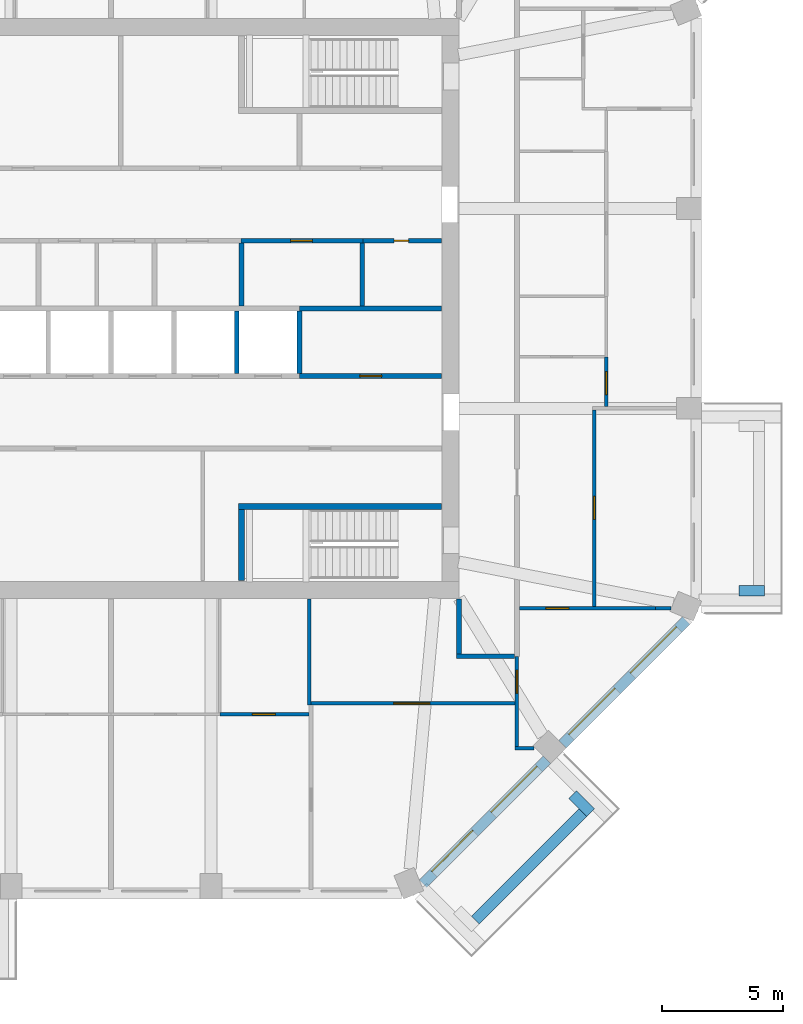
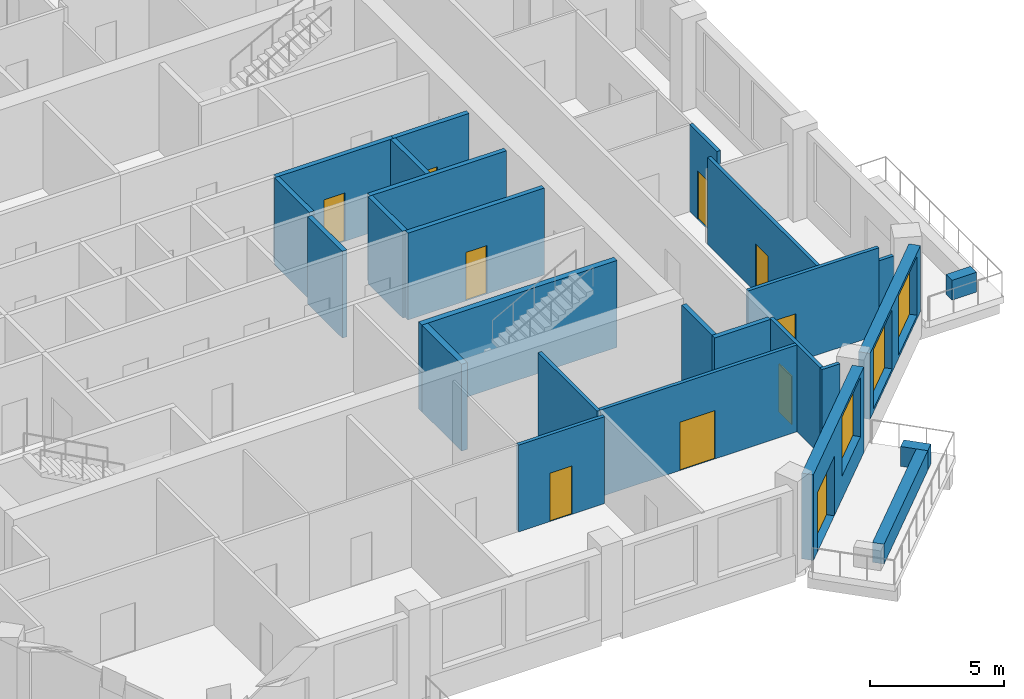
# One storey, part 5 of 10: 26 walls, 10 doors, 3 windows, 13 openings.
"""IFC4 building model written with IfcOpenShell, lengths in metres."""

from ifc_helpers import new_model, si_unit, direction, frame, frame_2d, origin, place, context, subcontext, project, spatial, rectangle, extrude, material, layer, layer_set, type_object, element, fill, save


model = new_model("IFC4")

# Units and contexts
model_context = context("Model", 3, precision=1e-05, world=origin(), true_north=direction((0.0, 1.0)))
body_context = subcontext(model_context, "Body", "Model", "MODEL_VIEW")
ifc_project = project(units=[si_unit("LENGTHUNIT", "METRE"), si_unit("AREAUNIT", "SQUARE_METRE"), si_unit("VOLUMEUNIT", "CUBIC_METRE"), si_unit("PLANEANGLEUNIT", "RADIAN"), si_unit("MASSUNIT", "GRAM", prefix="KILO")], contexts=[model_context])

# Site, building, storey
site_placement = place(None, origin())
site = spatial("IfcSite", under=ifc_project, at=site_placement, CompositionType="ELEMENT")
building_placement = place(site_placement, origin())
building = spatial("IfcBuilding", under=site, at=building_placement, Name="Msitu Wima Residences", CompositionType="ELEMENT")
storey_placement = place(building_placement, frame((0.0, 0.0, 195.89990234375)))
storey = spatial("IfcBuildingStorey", under=building, at=storey_placement, Name="L45", CompositionType="ELEMENT", Elevation=195.89990234375)

# Walls
ifc_material_1 = material(Name="Facing brick")
ifc_layer_1 = layer(ifc_material_1, 0.06494140625, Name="Facing brick")
ifc_material_2 = material(Name="Concrete C40/50", Category="concrete")
ifc_layer_2 = layer(ifc_material_2, 0.156005859375, Name="Concrete C40/50")
ifc_material_3 = material(Name="Waterproofing membrane")
ifc_layer_3 = layer(ifc_material_3, 0.00390625, Name="Waterproofing membrane")
ifc_material_4 = material(Name="Planting soil and planting")
ifc_layer_4 = layer(ifc_material_4, 0.22509765625, Name="Planting soil and planting")
ifc_layer_set_1 = layer_set([ifc_layer_1, ifc_layer_2, ifc_layer_3, ifc_layer_4], Name="Concrete C40/50")
wall_type_1 = type_object("IfcWallType", Name="Balcony planter PLANTER PL450", PredefinedType="USERDEFINED", material=ifc_layer_set_1)
wall_1_placement = place(storey_placement, frame((26.0, -11.686767578125, 0.0), z_axis=(0.0, 0.0, 1.0), x_axis=(1.0, 0.0, 0.0)))
element("IfcWall", 1, at=wall_1_placement, inside=storey, type_object=wall_type_1, Name="Balcony planter E0 L45", ObjectType="PLANTER", PredefinedType="USERDEFINED", context=body_context, shape_type="SweptSolid", body=[
    extrude(rectangle(XDim=1.050048828125, YDim=0.449951171875, at=frame_2d((0.52490234375, 0.0))), origin(), (0.0, 0.0, 1.0), 0.900146484375),
])
wall_2_placement = place(storey_placement, frame((15.0810546875, -25.325927734375, 0.0), z_axis=(0.0, 0.0, 1.0), x_axis=(0.707106781187, 0.707106781187, 0.0)))
element("IfcWall", 2, at=wall_2_placement, inside=storey, type_object=wall_type_1, Name="Balcony planter SE0 L45", ObjectType="PLANTER", PredefinedType="USERDEFINED", context=body_context, shape_type="SweptSolid", body=[
    extrude(rectangle(XDim=6.294189453125, YDim=0.449951171875, at=frame_2d((3.14697265625, 0.0))), origin(), (0.0, 0.0, 1.0), 0.900146484375),
])
wall_3_placement = place(storey_placement, frame((19.107421875, -20.1328125, 0.0), z_axis=(0.0, 0.0, 1.0), x_axis=(0.707106781187, -0.707106781187, 0.0)))
element("IfcWall", 3, at=wall_3_placement, inside=storey, type_object=wall_type_1, Name="Balcony planter SE0 L45", ObjectType="PLANTER", PredefinedType="USERDEFINED", context=body_context, shape_type="SweptSolid", body=[
    extrude(rectangle(XDim=1.050048828125, YDim=0.449951171875, at=frame_2d((0.52490234375, 0.0))), origin(), (0.0, 0.0, 1.0), 0.900146484375),
])

# Wall, openings, door, window
ifc_material_5 = material(Name="Brick (red buff mix)", Category="masonry")
ifc_layer_5 = layer(ifc_material_5, 0.449951171875)
ifc_layer_set_2 = layer_set([ifc_layer_5], Name="Brick (red buff mix)")
wall_type_2 = type_object("IfcWallType", Name="Brick infill wall BW450", PredefinedType="SOLIDWALL", material=ifc_layer_set_2)
wall_4_placement = place(storey_placement, frame((12.915283203125, -23.814697265625, 0.0), z_axis=(0.0, 0.0, 1.0), x_axis=(0.707106781187, 0.707106781187, 0.0)))
wall_4 = element("IfcWall", 4, at=wall_4_placement, inside=storey, type_object=wall_type_2, Name="Brick infill wall L45 SE0", PredefinedType="SOLIDWALL", context=body_context, shape_type="SweptSolid", body=[
    extrude(rectangle(XDim=7.257080078125, YDim=0.449951171875, at=frame_2d((3.62841796875, 0.0))), origin(), (0.0, 0.0, 1.0), 3.900146484375),
])
opening_1_placement = place(wall_4_placement, frame((0.6142578125, 0.0, 0.0)))
opening_1 = element("IfcOpeningElement", 5, at=opening_1_placement, cuts=wall_4, Name="Opening D43-45.006", PredefinedType="OPENING", context=body_context, shape_type="SweptSolid", body=[
    extrude(rectangle(XDim=2.39990234375, YDim=2.699951171875, at=frame_2d((1.199951171875, 1.35009765625))), frame((0.0, 0.23486328125, 0.0), z_axis=(0.0, -1.0, 0.0), x_axis=(1.0, 0.0, 0.0)), (0.0, 0.0, 1.0), 0.469970703125),
])
opening_2_placement = place(wall_4_placement, frame((4.07861328125, 0.0, 1.050048828125)))
opening_2 = element("IfcOpeningElement", 6, at=opening_2_placement, cuts=wall_4, Name="Opening W43-45.022", PredefinedType="OPENING", context=body_context, shape_type="SweptSolid", body=[
    extrude(rectangle(XDim=2.699951171875, YDim=2.699951171875, at=frame_2d((1.35009765625, 1.35009765625))), frame((0.0, 0.23486328125, 0.0), z_axis=(0.0, -1.0, 0.0), x_axis=(1.0, 0.0, 0.0)), (0.0, 0.0, 1.0), 0.469970703125),
])
ifc_material_6 = material(Name="Anodised aluminium, bronze finish, clear low-emissivity double glazing", Category="aluminium")
door_type_1 = type_object("IfcDoorType", Name="Balcony door D2400x2700", OperationType="SLIDING_TO_LEFT", PredefinedType="DOOR", material=ifc_material_6)
door_1_placement = place(opening_1_placement, origin())
door_1 = element("IfcDoor", 7, at=door_1_placement, inside=storey, type_object=door_type_1, Name="Balcony door L45 SE0", OperationType="SINGLE_SWING_LEFT", OverallHeight=2.699951171875, OverallWidth=2.39990234375, PredefinedType="DOOR", context=body_context, shape_type="SweptSolid", body=[
    extrude(rectangle(XDim=2.39990234375, YDim=2.699951171875, at=frame_2d((1.199951171875, 1.35009765625))), frame((0.0, 0.1298828125, 0.0), z_axis=(0.0, -1.0, 0.0), x_axis=(1.0, 0.0, 0.0)), (0.0, 0.0, 1.0), 0.050048828125),
])
fill(opening_1, door_1)
window_type = type_object("IfcWindowType", Name="Window W2700x2700", PartitioningType="DOUBLE_PANEL_VERTICAL", PredefinedType="WINDOW", material=ifc_material_6)
window_1_placement = place(opening_2_placement, origin())
window_1 = element("IfcWindow", 8, at=window_1_placement, inside=storey, type_object=window_type, Name="Window L45 SE0.2", OverallHeight=2.699951171875, OverallWidth=2.699951171875, PartitioningType="SINGLE_PANEL", PredefinedType="WINDOW", context=body_context, shape_type="SweptSolid", body=[
    extrude(rectangle(XDim=2.699951171875, YDim=2.699951171875, at=frame_2d((1.35009765625, 1.35009765625))), frame((0.0, 0.135009765625, 0.0), z_axis=(0.0, -1.0, 0.0), x_axis=(1.0, 0.0, 0.0)), (0.0, 0.0, 1.0), 0.06005859375),
])
fill(opening_2, window_1)

# Wall, openings, windows
wall_5_placement = place(storey_placement, frame((18.68310546875, -18.046875, 0.900146484375), z_axis=(0.0, 0.0, 1.0), x_axis=(0.707106781187, 0.707106781187, 0.0)))
wall_5 = element("IfcWall", 9, at=wall_5_placement, inside=storey, type_object=wall_type_2, Name="Brick infill wall L45 SE1", PredefinedType="SOLIDWALL", context=body_context, shape_type="SweptSolid", body=[
    extrude(rectangle(XDim=7.257080078125, YDim=0.449951171875, at=frame_2d((3.62841796875, 0.0))), origin(), (0.0, 0.0, 1.0), 3.0),
])
opening_3_placement = place(wall_5_placement, frame((0.478515625, 0.0, 0.14990234375)))
opening_3 = element("IfcOpeningElement", 10, at=opening_3_placement, cuts=wall_5, Name="Opening W43-45.023", PredefinedType="OPENING", context=body_context, shape_type="SweptSolid", body=[
    extrude(rectangle(XDim=2.699951171875, YDim=2.699951171875, at=frame_2d((1.35009765625, 1.35009765625))), frame((0.0, 0.23486328125, 0.0), z_axis=(0.0, -1.0, 0.0), x_axis=(1.0, 0.0, 0.0)), (0.0, 0.0, 1.0), 0.469970703125),
])
opening_4_placement = place(wall_5_placement, frame((4.07861328125, 0.0, 0.14990234375)))
opening_4 = element("IfcOpeningElement", 11, at=opening_4_placement, cuts=wall_5, Name="Opening W43-45.024", PredefinedType="OPENING", context=body_context, shape_type="SweptSolid", body=[
    extrude(rectangle(XDim=2.699951171875, YDim=2.699951171875, at=frame_2d((1.35009765625, 1.35009765625))), frame((0.0, 0.23486328125, 0.0), z_axis=(0.0, -1.0, 0.0), x_axis=(1.0, 0.0, 0.0)), (0.0, 0.0, 1.0), 0.469970703125),
])
window_2_placement = place(opening_3_placement, origin())
window_2 = element("IfcWindow", 12, at=window_2_placement, inside=storey, type_object=window_type, Name="Window L45 SE1.1", OverallHeight=2.699951171875, OverallWidth=2.699951171875, PartitioningType="SINGLE_PANEL", PredefinedType="WINDOW", context=body_context, shape_type="SweptSolid", body=[
    extrude(rectangle(XDim=2.699951171875, YDim=2.699951171875, at=frame_2d((1.35009765625, 1.35009765625))), frame((0.0, 0.135009765625, 0.0), z_axis=(0.0, -1.0, 0.0), x_axis=(1.0, 0.0, 0.0)), (0.0, 0.0, 1.0), 0.06005859375),
])
fill(opening_3, window_2)
window_3_placement = place(opening_4_placement, origin())
window_3 = element("IfcWindow", 13, at=window_3_placement, inside=storey, type_object=window_type, Name="Window L45 SE1.2", OverallHeight=2.699951171875, OverallWidth=2.699951171875, PartitioningType="SINGLE_PANEL", PredefinedType="WINDOW", context=body_context, shape_type="SweptSolid", body=[
    extrude(rectangle(XDim=2.699951171875, YDim=2.699951171875, at=frame_2d((1.35009765625, 1.35009765625))), frame((0.0, 0.135009765625, 0.0), z_axis=(0.0, -1.0, 0.0), x_axis=(1.0, 0.0, 0.0)), (0.0, 0.0, 1.0), 0.06005859375),
])
fill(opening_4, window_3)

# Wall, opening, door
ifc_material_7 = material(Name="Plaster")
ifc_layer_6 = layer(ifc_material_7, 0.011962890625, Name="Plaster")
ifc_material_8 = material(Name="Concrete blockwork", Category="masonry")
ifc_layer_7 = layer(ifc_material_8, 0.176025390625, Name="Concrete blockwork")
ifc_layer_8 = layer(ifc_material_7, 0.011962890625, Name="Plaster")
ifc_layer_set_3 = layer_set([ifc_layer_6, ifc_layer_7, ifc_layer_8], Name="Concrete blockwork")
wall_type_3 = type_object("IfcWallType", Name="Corridor wall FW200", PredefinedType="PARTITIONING", material=ifc_layer_set_3)
wall_6_placement = place(storey_placement, frame((5.3798828125, 2.800048828125, 0.0), z_axis=(0.0, 0.0, 1.0), x_axis=(1.0, 0.0, 0.0)))
wall_6 = element("IfcWall", 14, at=wall_6_placement, inside=storey, type_object=wall_type_3, Name="Corridor wall", PredefinedType="PARTITIONING", context=body_context, shape_type="SweptSolid", body=[
    extrude(rectangle(XDim=5.0400390625, YDim=0.199951171875, at=frame_2d((2.52001953125, 0.0))), origin(), (0.0, 0.0, 1.0), 3.9501953125),
])
opening_5_placement = place(wall_6_placement, frame((2.050048828125, 0.0, 0.0)))
opening_5 = element("IfcOpeningElement", 15, at=opening_5_placement, cuts=wall_6, Name="Opening D43-45.066", PredefinedType="OPENING", context=body_context, shape_type="SweptSolid", body=[
    extrude(rectangle(XDim=0.89990234375, YDim=2.199951171875, at=frame_2d((0.449951171875, 1.10009765625))), frame((0.0, 0.10986328125, 0.0), z_axis=(0.0, -1.0, 0.0), x_axis=(1.0, 0.0, 0.0)), (0.0, 0.0, 1.0), 0.219970703125),
])
ifc_material_9 = material(Name="Timber flush door", Category="wood")
door_type_2 = type_object("IfcDoorType", Name="Service door D05 900x2200", OperationType="SINGLE_SWING_LEFT", PredefinedType="DOOR", material=ifc_material_9)
door_2_placement = place(opening_5_placement, origin())
door_2 = element("IfcDoor", 16, at=door_2_placement, inside=storey, type_object=door_type_2, Name="Service door", OperationType="SINGLE_SWING_RIGHT", OverallHeight=2.199951171875, OverallWidth=0.89990234375, PredefinedType="DOOR", context=body_context, shape_type="SweptSolid", body=[
    extrude(rectangle(XDim=0.89990234375, YDim=2.199951171875, at=frame_2d((0.449951171875, 1.10009765625))), frame((0.0, 0.02490234375, 0.0), z_axis=(0.0, -1.0, 0.0), x_axis=(1.0, 0.0, 0.0)), (0.0, 0.0, 1.0), 0.050048828125),
])
fill(opening_5, door_2)

# Walls
wall_7_placement = place(storey_placement, frame((14.39990234375, -14.300048828125, 0.0), z_axis=(0.0, 0.0, 1.0), x_axis=(0.0, 1.0, 0.0)))
element("IfcWall", 17, at=wall_7_placement, inside=storey, type_object=wall_type_3, Name="Corridor wall", PredefinedType="PARTITIONING", context=body_context, shape_type="SweptSolid", body=[
    extrude(rectangle(XDim=2.27001953125, YDim=0.199951171875, at=frame_2d((1.135009765625, 0.0))), origin(), (0.0, 0.0, 1.0), 3.9501953125),
])
wall_8_placement = place(storey_placement, frame((14.300048828125, -14.39990234375, 0.0), z_axis=(0.0, 0.0, 1.0), x_axis=(1.0, 0.0, 0.0)))
element("IfcWall", 18, at=wall_8_placement, inside=storey, type_object=wall_type_3, Name="Corridor wall", PredefinedType="PARTITIONING", context=body_context, shape_type="SweptSolid", body=[
    extrude(rectangle(XDim=2.39990234375, YDim=0.199951171875, at=frame_2d((1.199951171875, 0.0))), origin(), (0.0, 0.0, 1.0), 3.9501953125),
])

# Wall, opening, door
ifc_layer_9 = layer(ifc_material_7, 0.011962890625, Name="Plaster")
ifc_layer_10 = layer(ifc_material_8, 0.1259765625, Name="Concrete blockwork")
ifc_layer_11 = layer(ifc_material_7, 0.011962890625, Name="Plaster")
ifc_layer_set_4 = layer_set([ifc_layer_9, ifc_layer_10, ifc_layer_11], Name="Concrete blockwork")
wall_type_4 = type_object("IfcWallType", Name="Partition PW150", PredefinedType="PARTITIONING", material=ifc_layer_set_4)
wall_9_placement = place(storey_placement, frame((4.5, -16.800048828125, 0.0), z_axis=(0.0, 0.0, 1.0), x_axis=(1.0, 0.0, 0.0)))
wall_9 = element("IfcWall", 19, at=wall_9_placement, inside=storey, type_object=wall_type_4, Name="Partition", PredefinedType="PARTITIONING", context=body_context, shape_type="SweptSolid", body=[
    extrude(rectangle(XDim=3.699462890625, YDim=0.14990234375, at=frame_2d((1.849609375, 0.0))), origin(), (0.0, 0.0, 1.0), 3.9501953125),
])
opening_6_placement = place(wall_9_placement, frame((1.35009765625, 0.0, 0.0)))
opening_6 = element("IfcOpeningElement", 20, at=opening_6_placement, cuts=wall_9, Name="Opening D43-45.017", PredefinedType="OPENING", context=body_context, shape_type="SweptSolid", body=[
    extrude(rectangle(XDim=0.949951171875, YDim=2.199951171875, at=frame_2d((0.47509765625, 1.10009765625))), frame((0.0, 0.0849609375, 0.0), z_axis=(0.0, -1.0, 0.0), x_axis=(1.0, 0.0, 0.0)), (0.0, 0.0, 1.0), 0.169921875),
])
door_type_3 = type_object("IfcDoorType", Name="Room door D12 950x2200", OperationType="SINGLE_SWING_LEFT", PredefinedType="DOOR", material=ifc_material_9)
door_3_placement = place(opening_6_placement, origin())
door_3 = element("IfcDoor", 21, at=door_3_placement, inside=storey, type_object=door_type_3, Name="Room door", OperationType="SINGLE_SWING_LEFT", OverallHeight=2.199951171875, OverallWidth=0.949951171875, PredefinedType="DOOR", context=body_context, shape_type="SweptSolid", body=[
    extrude(rectangle(XDim=0.949951171875, YDim=2.199951171875, at=frame_2d((0.47509765625, 1.10009765625))), frame((0.0, 0.02490234375, 0.0), z_axis=(0.0, -1.0, 0.0), x_axis=(1.0, 0.0, 0.0)), (0.0, 0.0, 1.0), 0.050048828125),
])
fill(opening_6, door_3)

# Wall
wall_10_placement = place(storey_placement, frame((8.199951171875, -16.425048828125, 0.0), z_axis=(0.0, 0.0, 1.0), x_axis=(0.0, 1.0, 0.0)))
element("IfcWall", 22, at=wall_10_placement, inside=storey, type_object=wall_type_4, Name="Partition", PredefinedType="PARTITIONING", context=body_context, shape_type="SweptSolid", body=[
    extrude(rectangle(XDim=4.39501953125, YDim=0.14990234375, at=frame_2d((2.197509765625, 0.0))), origin(), (0.0, 0.0, 1.0), 3.9501953125),
])

# Wall, opening, door
wall_11_placement = place(storey_placement, frame((8.199462890625, -16.35009765625, 0.0), z_axis=(0.0, 0.0, 1.0), x_axis=(1.0, 0.0, 0.0)))
wall_11 = element("IfcWall", 23, at=wall_11_placement, inside=storey, type_object=wall_type_4, Name="Partition", PredefinedType="PARTITIONING", context=body_context, shape_type="SweptSolid", body=[
    extrude(rectangle(XDim=8.525634765625, YDim=0.14990234375, at=frame_2d((4.2626953125, 0.0))), origin(), (0.0, 0.0, 1.0), 3.9501953125),
])
opening_7_placement = place(wall_11_placement, frame((3.5, 0.0, 0.0)))
opening_7 = element("IfcOpeningElement", 24, at=opening_7_placement, cuts=wall_11, Name="Opening D43-45.027", PredefinedType="OPENING", context=body_context, shape_type="SweptSolid", body=[
    extrude(rectangle(XDim=1.5, YDim=2.199951171875, at=frame_2d((0.75, 1.10009765625))), frame((0.0, 0.0849609375, 0.0), z_axis=(0.0, -1.0, 0.0), x_axis=(1.0, 0.0, 0.0)), (0.0, 0.0, 1.0), 0.169921875),
])
ifc_material_10 = material(Name="Timber double door", Category="wood")
door_type_4 = type_object("IfcDoorType", Name="Double door D04 1500x2200", OperationType="DOUBLE_DOOR_SINGLE_SWING", PredefinedType="DOOR", material=ifc_material_10)
door_4_placement = place(opening_7_placement, origin())
door_4 = element("IfcDoor", 25, at=door_4_placement, inside=storey, type_object=door_type_4, Name="Double door", OperationType="DOUBLE_DOOR_SINGLE_SWING", OverallHeight=2.199951171875, OverallWidth=1.5, PredefinedType="DOOR", context=body_context, shape_type="SweptSolid", body=[
    extrude(rectangle(XDim=1.5, YDim=2.199951171875, at=frame_2d((0.75, 1.10009765625))), frame((0.0, 0.02490234375, 0.0), z_axis=(0.0, -1.0, 0.0), x_axis=(1.0, 0.0, 0.0)), (0.0, 0.0, 1.0), 0.050048828125),
])
fill(opening_7, door_4)

wall_12_placement = place(storey_placement, frame((16.800048828125, -18.130859375, 0.0), z_axis=(0.0, 0.0, 1.0), x_axis=(0.0, 1.0, 0.0)))
wall_12 = element("IfcWall", 26, at=wall_12_placement, inside=storey, type_object=wall_type_4, Name="Partition", PredefinedType="PARTITIONING", context=body_context, shape_type="SweptSolid", body=[
    extrude(rectangle(XDim=3.73095703125, YDim=0.14990234375, at=frame_2d((1.865478515625, 0.0))), origin(), (0.0, 0.0, 1.0), 3.9501953125),
])
opening_8_placement = place(wall_12_placement, frame((2.199951171875, 0.0, 0.0)))
opening_8 = element("IfcOpeningElement", 27, at=opening_8_placement, cuts=wall_12, Name="Opening D43-45.026", PredefinedType="OPENING", context=body_context, shape_type="SweptSolid", body=[
    extrude(rectangle(XDim=0.949951171875, YDim=2.199951171875, at=frame_2d((0.47509765625, 1.10009765625))), frame((0.0, 0.0849609375, 0.0), z_axis=(0.0, -1.0, 0.0), x_axis=(1.0, 0.0, 0.0)), (0.0, 0.0, 1.0), 0.169921875),
])
door_5_placement = place(opening_8_placement, origin())
door_5 = element("IfcDoor", 28, at=door_5_placement, inside=storey, type_object=door_type_3, Name="Room door", OperationType="SINGLE_SWING_LEFT", OverallHeight=2.199951171875, OverallWidth=0.949951171875, PredefinedType="DOOR", context=body_context, shape_type="SweptSolid", body=[
    extrude(rectangle(XDim=0.949951171875, YDim=2.199951171875, at=frame_2d((0.47509765625, 1.10009765625))), frame((0.0, 0.02490234375, 0.0), z_axis=(0.0, -1.0, 0.0), x_axis=(1.0, 0.0, 0.0)), (0.0, 0.0, 1.0), 0.050048828125),
])
fill(opening_8, door_5)

# Wall
wall_13_placement = place(storey_placement, frame((16.72509765625, -18.205810546875, 0.0), z_axis=(0.0, 0.0, 1.0), x_axis=(1.0, 0.0, 0.0)))
element("IfcWall", 29, at=wall_13_placement, inside=storey, type_object=wall_type_4, Name="Partition", PredefinedType="PARTITIONING", context=body_context, shape_type="SweptSolid", body=[
    extrude(rectangle(XDim=0.784423828125, YDim=0.14990234375, at=frame_2d((0.39208984375, 0.0))), origin(), (0.0, 0.0, 1.0), 3.9501953125),
])

# Wall, opening, door
wall_14_placement = place(storey_placement, frame((16.89990234375, -12.409912109375, 0.0), z_axis=(0.0, 0.0, 1.0), x_axis=(1.0, 0.0, 0.0)))
wall_14 = element("IfcWall", 30, at=wall_14_placement, inside=storey, type_object=wall_type_4, Name="Partition", PredefinedType="PARTITIONING", context=body_context, shape_type="SweptSolid", body=[
    extrude(rectangle(XDim=5.62939453125, YDim=0.14990234375, at=frame_2d((2.814697265625, 0.0))), origin(), (0.0, 0.0, 1.0), 3.9501953125),
])
opening_9_placement = place(wall_14_placement, frame((1.10009765625, 0.0, 0.0)))
opening_9 = element("IfcOpeningElement", 31, at=opening_9_placement, cuts=wall_14, Name="Opening D43-45.009", PredefinedType="OPENING", context=body_context, shape_type="SweptSolid", body=[
    extrude(rectangle(XDim=0.949951171875, YDim=2.199951171875, at=frame_2d((0.47509765625, 1.10009765625))), frame((0.0, 0.0849609375, 0.0), z_axis=(0.0, -1.0, 0.0), x_axis=(1.0, 0.0, 0.0)), (0.0, 0.0, 1.0), 0.169921875),
])
door_6_placement = place(opening_9_placement, origin())
door_6 = element("IfcDoor", 32, at=door_6_placement, inside=storey, type_object=door_type_3, Name="Room door", OperationType="SINGLE_SWING_RIGHT", OverallHeight=2.199951171875, OverallWidth=0.949951171875, PredefinedType="DOOR", context=body_context, shape_type="SweptSolid", body=[
    extrude(rectangle(XDim=0.949951171875, YDim=2.199951171875, at=frame_2d((0.47509765625, 1.10009765625))), frame((0.0, 0.02490234375, 0.0), z_axis=(0.0, -1.0, 0.0), x_axis=(1.0, 0.0, 0.0)), (0.0, 0.0, 1.0), 0.050048828125),
])
fill(opening_9, door_6)

# Wall
wall_15_placement = place(storey_placement, frame((22.529296875, -12.409912109375, 0.0), z_axis=(0.0, 0.0, 1.0), x_axis=(1.0, 0.0, 0.0)))
element("IfcWall", 33, at=wall_15_placement, inside=storey, type_object=wall_type_4, Name="Partition", PredefinedType="PARTITIONING", context=body_context, shape_type="SweptSolid", body=[
    extrude(rectangle(XDim=0.640380859375, YDim=0.14990234375, at=frame_2d((0.3203125, 0.0))), origin(), (0.0, 0.0, 1.0), 3.35009765625),
])

# Wall, opening, door
wall_16_placement = place(storey_placement, frame((20.0, -12.3349609375, 0.0), z_axis=(0.0, 0.0, 1.0), x_axis=(0.0, 1.0, 0.0)))
wall_16 = element("IfcWall", 34, at=wall_16_placement, inside=storey, type_object=wall_type_4, Name="Partition", PredefinedType="PARTITIONING", context=body_context, shape_type="SweptSolid", body=[
    extrude(rectangle(XDim=8.119873046875, YDim=0.14990234375, at=frame_2d((4.06005859375, 0.0))), origin(), (0.0, 0.0, 1.0), 3.9501953125),
])
opening_10_placement = place(wall_16_placement, frame((3.60009765625, 0.0, 0.0)))
opening_10 = element("IfcOpeningElement", 35, at=opening_10_placement, cuts=wall_16, Name="Opening D43-45.022", PredefinedType="OPENING", context=body_context, shape_type="SweptSolid", body=[
    extrude(rectangle(XDim=0.949951171875, YDim=2.199951171875, at=frame_2d((0.47509765625, 1.10009765625))), frame((0.0, 0.0849609375, 0.0), z_axis=(0.0, -1.0, 0.0), x_axis=(1.0, 0.0, 0.0)), (0.0, 0.0, 1.0), 0.169921875),
])
door_7_placement = place(opening_10_placement, origin())
door_7 = element("IfcDoor", 36, at=door_7_placement, inside=storey, type_object=door_type_3, Name="Room door", OperationType="SINGLE_SWING_LEFT", OverallHeight=2.199951171875, OverallWidth=0.949951171875, PredefinedType="DOOR", context=body_context, shape_type="SweptSolid", body=[
    extrude(rectangle(XDim=0.949951171875, YDim=2.199951171875, at=frame_2d((0.47509765625, 1.10009765625))), frame((0.0, 0.02490234375, 0.0), z_axis=(0.0, -1.0, 0.0), x_axis=(1.0, 0.0, 0.0)), (0.0, 0.0, 1.0), 0.050048828125),
])
fill(opening_10, door_7)

wall_17_placement = place(storey_placement, frame((20.5, -4.06494140625, 0.0), z_axis=(0.0, 0.0, 1.0), x_axis=(0.0, 1.0, 0.0)))
wall_17 = element("IfcWall", 37, at=wall_17_placement, inside=storey, type_object=wall_type_4, Name="Partition", PredefinedType="PARTITIONING", context=body_context, shape_type="SweptSolid", body=[
    extrude(rectangle(XDim=2.044921875, YDim=0.14990234375, at=frame_2d((1.0224609375, 0.0))), origin(), (0.0, 0.0, 1.0), 3.9501953125),
])
opening_11_placement = place(wall_17_placement, frame((0.5, 0.0, 0.0)))
opening_11 = element("IfcOpeningElement", 38, at=opening_11_placement, cuts=wall_17, Name="Opening D43-45.023", PredefinedType="OPENING", context=body_context, shape_type="SweptSolid", body=[
    extrude(rectangle(XDim=0.949951171875, YDim=2.199951171875, at=frame_2d((0.47509765625, 1.10009765625))), frame((0.0, 0.0849609375, 0.0), z_axis=(0.0, -1.0, 0.0), x_axis=(1.0, 0.0, 0.0)), (0.0, 0.0, 1.0), 0.169921875),
])
door_8_placement = place(opening_11_placement, origin())
door_8 = element("IfcDoor", 39, at=door_8_placement, inside=storey, type_object=door_type_3, Name="Room door", OperationType="SINGLE_SWING_RIGHT", OverallHeight=2.199951171875, OverallWidth=0.949951171875, PredefinedType="DOOR", context=body_context, shape_type="SweptSolid", body=[
    extrude(rectangle(XDim=0.949951171875, YDim=2.199951171875, at=frame_2d((0.47509765625, 1.10009765625))), frame((0.0, 0.02490234375, 0.0), z_axis=(0.0, -1.0, 0.0), x_axis=(1.0, 0.0, 0.0)), (0.0, 0.0, 1.0), 0.050048828125),
])
fill(opening_11, door_8)

# Wall
ifc_layer_12 = layer(ifc_material_7, 0.011962890625, Name="Plaster")
ifc_material_11 = material(Name="Reinforced concrete blockwork", Category="masonry")
ifc_layer_13 = layer(ifc_material_11, 0.176025390625, Name="Reinforced concrete blockwork")
ifc_layer_14 = layer(ifc_material_7, 0.011962890625, Name="Plaster")
ifc_layer_set_5 = layer_set([ifc_layer_12, ifc_layer_13, ifc_layer_14], Name="Reinforced concrete blockwork")
wall_type_5 = type_object("IfcWallType", Name="Plant and riser wall PL200", PredefinedType="PARTITIONING", material=ifc_layer_set_5)
wall_18_placement = place(storey_placement, frame((5.39990234375, 0.10009765625, 0.0), z_axis=(0.0, 0.0, 1.0), x_axis=(0.0, 1.0, 0.0)))
element("IfcWall", 40, at=wall_18_placement, inside=storey, type_object=wall_type_5, Name="Plant and riser wall", PredefinedType="PARTITIONING", context=body_context, shape_type="SweptSolid", body=[
    extrude(rectangle(XDim=2.599853515625, YDim=0.199951171875, at=frame_2d((1.2998046875, 0.0))), origin(), (0.0, 0.0, 1.0), 3.9501953125),
])

# Wall, opening, door
wall_19_placement = place(storey_placement, frame((7.800048828125, -2.800048828125, 0.0), z_axis=(0.0, 0.0, 1.0), x_axis=(1.0, 0.0, 0.0)))
wall_19 = element("IfcWall", 41, at=wall_19_placement, inside=storey, type_object=wall_type_5, Name="Plant and riser wall", PredefinedType="PARTITIONING", context=body_context, shape_type="SweptSolid", body=[
    extrude(rectangle(XDim=5.869873046875, YDim=0.199951171875, at=frame_2d((2.93505859375, 0.0))), origin(), (0.0, 0.0, 1.0), 3.9501953125),
])
opening_12_placement = place(wall_19_placement, frame((2.5, 0.0, 0.0)))
opening_12 = element("IfcOpeningElement", 42, at=opening_12_placement, cuts=wall_19, Name="Opening D43-45.050", PredefinedType="OPENING", context=body_context, shape_type="SweptSolid", body=[
    extrude(rectangle(XDim=0.89990234375, YDim=2.199951171875, at=frame_2d((0.449951171875, 1.10009765625))), frame((0.0, 0.10986328125, 0.0), z_axis=(0.0, -1.0, 0.0), x_axis=(1.0, 0.0, 0.0)), (0.0, 0.0, 1.0), 0.219970703125),
])
door_9_placement = place(opening_12_placement, origin())
door_9 = element("IfcDoor", 43, at=door_9_placement, inside=storey, type_object=door_type_2, Name="Service door", OperationType="SINGLE_SWING_LEFT", OverallHeight=2.199951171875, OverallWidth=0.89990234375, PredefinedType="DOOR", context=body_context, shape_type="SweptSolid", body=[
    extrude(rectangle(XDim=0.89990234375, YDim=2.199951171875, at=frame_2d((0.449951171875, 1.10009765625))), frame((0.0, 0.02490234375, 0.0), z_axis=(0.0, -1.0, 0.0), x_axis=(1.0, 0.0, 0.0)), (0.0, 0.0, 1.0), 0.050048828125),
])
fill(opening_12, door_9)

# Wall
wall_20_placement = place(storey_placement, frame((7.800048828125, 0.0, 0.0), z_axis=(0.0, 0.0, 1.0), x_axis=(1.0, 0.0, 0.0)))
element("IfcWall", 44, at=wall_20_placement, inside=storey, type_object=wall_type_5, Name="Plant and riser wall", PredefinedType="PARTITIONING", context=body_context, shape_type="SweptSolid", body=[
    extrude(rectangle(XDim=5.869873046875, YDim=0.199951171875, at=frame_2d((2.93505859375, 0.0))), origin(), (0.0, 0.0, 1.0), 3.9501953125),
])

# Wall, opening, door
wall_21_placement = place(storey_placement, frame((10.419921875, 2.800048828125, 0.0), z_axis=(0.0, 0.0, 1.0), x_axis=(1.0, 0.0, 0.0)))
wall_21 = element("IfcWall", 45, at=wall_21_placement, inside=storey, type_object=wall_type_5, Name="Plant and riser wall", PredefinedType="PARTITIONING", context=body_context, shape_type="SweptSolid", body=[
    extrude(rectangle(XDim=3.25, YDim=0.199951171875, at=frame_2d((1.625, 0.0))), origin(), (0.0, 0.0, 1.0), 3.9501953125),
])
opening_13_placement = place(wall_21_placement, frame((1.300048828125, 0.0, 0.0)))
opening_13 = element("IfcOpeningElement", 46, at=opening_13_placement, cuts=wall_21, Name="Opening D43-45.067", PredefinedType="OPENING", context=body_context, shape_type="SweptSolid", body=[
    extrude(rectangle(XDim=0.60009765625, YDim=2.0, at=frame_2d((0.300048828125, 1.0))), frame((0.0, 0.10986328125, 0.0), z_axis=(0.0, -1.0, 0.0), x_axis=(1.0, 0.0, 0.0)), (0.0, 0.0, 1.0), 0.219970703125),
])
ifc_material_12 = material(Name="Steel access door, fire resisting", Category="steel")
door_type_5 = type_object("IfcDoorType", Name="Riser access door D08 600x2000", OperationType="SINGLE_SWING_LEFT", PredefinedType="DOOR", material=ifc_material_12)
door_10_placement = place(opening_13_placement, origin())
door_10 = element("IfcDoor", 47, at=door_10_placement, inside=storey, type_object=door_type_5, Name="Riser access door", OperationType="SINGLE_SWING_RIGHT", OverallHeight=2.0, OverallWidth=0.60009765625, PredefinedType="DOOR", context=body_context, shape_type="SweptSolid", body=[
    extrude(rectangle(XDim=0.60009765625, YDim=2.0, at=frame_2d((0.300048828125, 1.0))), frame((0.0, 0.02490234375, 0.0), z_axis=(0.0, -1.0, 0.0), x_axis=(1.0, 0.0, 0.0)), (0.0, 0.0, 1.0), 0.050048828125),
])
fill(opening_13, door_10)

# Walls
wall_22_placement = place(storey_placement, frame((10.39990234375, 0.10009765625, 0.0), z_axis=(0.0, 0.0, 1.0), x_axis=(0.0, 1.0, 0.0)))
element("IfcWall", 48, at=wall_22_placement, inside=storey, type_object=wall_type_5, Name="Plant and riser wall", PredefinedType="PARTITIONING", context=body_context, shape_type="SweptSolid", body=[
    extrude(rectangle(XDim=2.599853515625, YDim=0.199951171875, at=frame_2d((1.2998046875, 0.0))), origin(), (0.0, 0.0, 1.0), 3.9501953125),
])
ifc_material_13 = material(Name="Fire-rated board")
ifc_layer_15 = layer(ifc_material_13, 0.02490234375, Name="Fire-rated board")
ifc_material_14 = material(Name="Light-gauge stud framing with mineral wool")
ifc_layer_16 = layer(ifc_material_14, 0.14990234375, Name="Light-gauge stud framing with mineral wool")
ifc_layer_17 = layer(ifc_material_13, 0.02490234375, Name="Fire-rated board")
ifc_layer_set_6 = layer_set([ifc_layer_15, ifc_layer_16, ifc_layer_17], Name="Light-gauge stud framing with mineral wool")
wall_type_6 = type_object("IfcWallType", Name="Shaft wall SH200", PredefinedType="PARTITIONING", material=ifc_layer_set_6)
for number, where, z_axis, x_axis, name in (
    (49, (5.199951171875, -2.699951171875, 0.0), (0.0, 0.0, 1.0), (0.0, 1.0, 0.0), "Shaft wall"),
    (50, (7.800048828125, -2.699951171875, 0.0), (0.0, 0.0, 1.0), (0.0, 1.0, 0.0), "Shaft wall"),
):
    element("IfcWall", number, at=place(storey_placement, frame(where, z_axis=z_axis, x_axis=x_axis)), inside=storey, type_object=wall_type_6, Name=name, PredefinedType="PARTITIONING", context=body_context, shape_type="SweptSolid", body=[
        extrude(rectangle(XDim=2.599853515625, YDim=0.199951171875, at=frame_2d((1.2998046875, 0.0))), origin(), (0.0, 0.0, 1.0), 3.9501953125),
    ])
ifc_material_15 = material(Name="Concrete C50/60", Category="concrete")
ifc_layer_18 = layer(ifc_material_15, 0.25)
ifc_layer_set_7 = layer_set([ifc_layer_18], Name="Concrete C50/60")
wall_type_7 = type_object("IfcWallType", Name="Stair enclosure wall SW250", PredefinedType="SHEAR", material=ifc_layer_set_7)
wall_23_placement = place(storey_placement, frame((5.39990234375, -11.27001953125, 0.0), z_axis=(0.0, 0.0, 1.0), x_axis=(0.0, 1.0, 0.0)))
element("IfcWall", 51, at=wall_23_placement, inside=storey, type_object=wall_type_7, Name="Stair enclosure wall", PredefinedType="SHEAR", context=body_context, shape_type="SweptSolid", body=[
    extrude(rectangle(XDim=2.945068359375, YDim=0.25, at=frame_2d((1.47265625, 0.0))), origin(), (0.0, 0.0, 1.0), 3.9501953125),
])
wall_24_placement = place(storey_placement, frame((5.27490234375, -8.199951171875, 0.0), z_axis=(0.0, 0.0, 1.0), x_axis=(1.0, 0.0, 0.0)))
element("IfcWall", 52, at=wall_24_placement, inside=storey, type_object=wall_type_7, Name="Stair enclosure wall", PredefinedType="SHEAR", context=body_context, shape_type="SweptSolid", body=[
    extrude(rectangle(XDim=8.39501953125, YDim=0.25, at=frame_2d((4.197509765625, 0.0))), origin(), (0.0, 0.0, 1.0), 3.9501953125),
])

save(model, "model.ifc")
